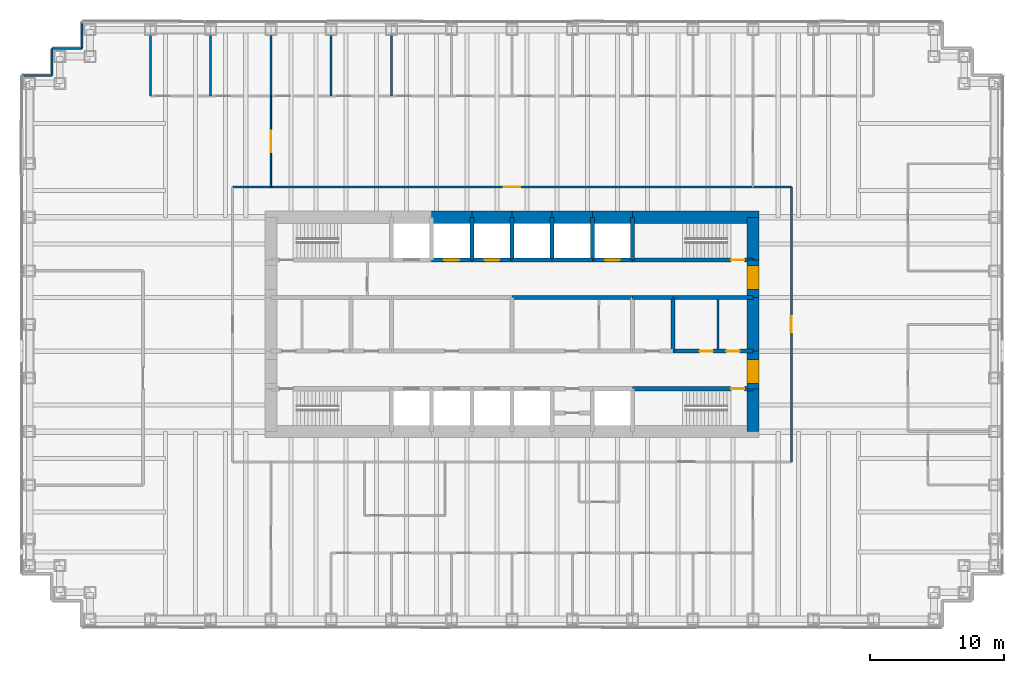
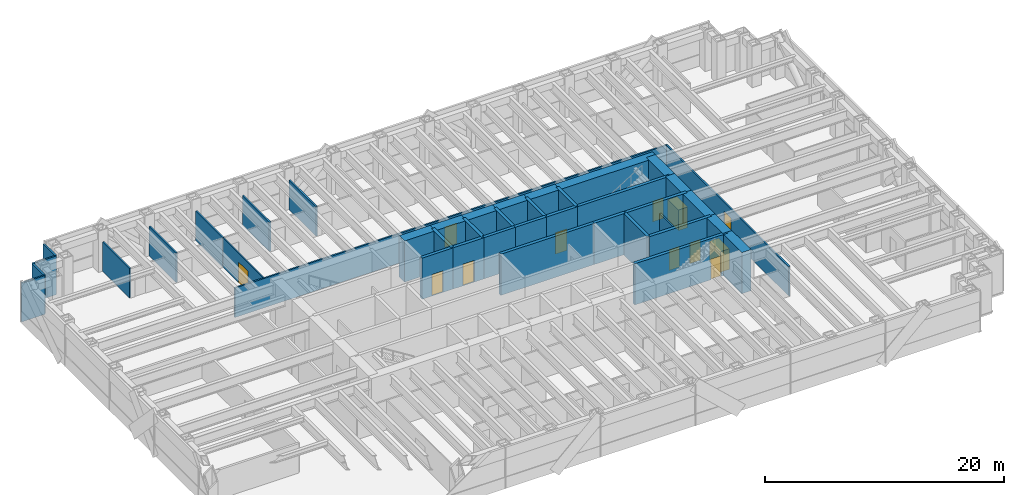
# One storey, part 13 of 16: 41 walls, 12 doors, 12 openings.
"""IFC4 building model written with IfcOpenShell, lengths in metres."""

from ifc_helpers import new_model, si_unit, direction, frame, frame_2d, origin, place, context, subcontext, project, spatial, rectangle, extrude, material, layer, layer_set, type_object, element, fill, save


model = new_model("IFC4")

# Units and contexts
model_context = context("Model", 3, precision=1e-05, world=origin(), true_north=direction((0.0, 1.0)))
body_context = subcontext(model_context, "Body", "Model", "MODEL_VIEW")
ifc_project = project(units=[si_unit("LENGTHUNIT", "METRE"), si_unit("AREAUNIT", "SQUARE_METRE"), si_unit("VOLUMEUNIT", "CUBIC_METRE"), si_unit("PLANEANGLEUNIT", "RADIAN"), si_unit("MASSUNIT", "GRAM", prefix="KILO")], contexts=[model_context])

# Site, building, storey
site_placement = place(None, origin())
site = spatial("IfcSite", under=ifc_project, at=site_placement, CompositionType="ELEMENT")
building_placement = place(site_placement, origin())
building = spatial("IfcBuilding", under=site, at=building_placement, Name="Rheinbord Bourse Tower", CompositionType="ELEMENT")
storey_placement = place(building_placement, frame((0.0, 0.0, 176.10009765625)))
storey = spatial("IfcBuildingStorey", under=building, at=storey_placement, Name="L39", CompositionType="ELEMENT", Elevation=176.10009765625)

# Wall, opening, door
ifc_material_1 = material(Name="Concrete C50/60", Category="concrete")
ifc_layer_1 = layer(ifc_material_1, 0.300048828125)
ifc_layer_set_1 = layer_set([ifc_layer_1], Name="CORE INNER WALL 300")
wall_type_1 = type_object("IfcWallType", Name="CORE INNER WALL 300", PredefinedType="SOLIDWALL", material=ifc_layer_set_1)
wall_1_placement = place(storey_placement, frame((45.0, 19.199951171875, 0.0), z_axis=(0.0, 0.0, 1.0), x_axis=(1.0, 0.0, 0.0)))
wall_1 = element("IfcWall", 1, at=wall_1_placement, inside=storey, type_object=wall_type_1, Name="Core wall A8 L39", PredefinedType="SOLIDWALL", context=body_context, shape_type="SweptSolid", body=[
    extrude(rectangle(XDim=9.0, YDim=0.300048828125, at=frame_2d((4.5, 0.0))), origin(), (0.0, 0.0, 1.0), 4.199951171875),
])
opening_1_placement = place(wall_1_placement, frame((7.35009765625, 0.0, 0.0)))
opening_1 = element("IfcOpeningElement", 2, at=opening_1_placement, cuts=wall_1, Name="Opening 3930", PredefinedType="OPENING", context=body_context, shape_type="SweptSolid", body=[
    extrude(rectangle(XDim=1.0, YDim=2.10009765625, at=frame_2d((0.5, 1.050048828125))), frame((0.0, 0.159912109375, 0.0), z_axis=(0.0, -1.0, 0.0), x_axis=(1.0, 0.0, 0.0)), (0.0, 0.0, 1.0), 0.320068359375),
])
ifc_material_2 = material(Name="Steel door", Category="steel")
door_type_1 = type_object("IfcDoorType", Name="DOOR 1000 EI30", OperationType="SINGLE_SWING_LEFT", PredefinedType="DOOR", material=ifc_material_2)
door_1_placement = place(opening_1_placement, origin())
door_1 = element("IfcDoor", 3, at=door_1_placement, inside=storey, type_object=door_type_1, Name="Stair door ST3 L39", OperationType="SINGLE_SWING_RIGHT", OverallHeight=2.10009765625, OverallWidth=1.0, PredefinedType="DOOR", context=body_context, shape_type="SweptSolid", body=[
    extrude(rectangle(XDim=1.0, YDim=2.10009765625, at=frame_2d((0.5, 1.050048828125))), frame((0.0, 0.02490234375, 0.0), z_axis=(0.0, -1.0, 0.0), x_axis=(1.0, 0.0, 0.0)), (0.0, 0.0, 1.0), 0.050048828125),
])
fill(opening_1, door_1)

wall_2_placement = place(storey_placement, frame((30.0, 28.800048828125, 0.0), z_axis=(0.0, 0.0, 1.0), x_axis=(1.0, 0.0, 0.0)))
wall_2 = element("IfcWall", 4, at=wall_2_placement, inside=storey, type_object=wall_type_1, Name="Core wall B3 L39", PredefinedType="SOLIDWALL", context=body_context, shape_type="SweptSolid", body=[
    extrude(rectangle(XDim=3.0, YDim=0.300048828125, at=frame_2d((1.5, 0.0))), origin(), (0.0, 0.0, 1.0), 4.199951171875),
])
opening_2_placement = place(wall_2_placement, frame((0.949951171875, 0.0, 0.0)))
opening_2 = element("IfcOpeningElement", 5, at=opening_2_placement, cuts=wall_2, Name="Opening PB4", PredefinedType="OPENING", context=body_context, shape_type="SweptSolid", body=[
    extrude(rectangle(XDim=1.10009765625, YDim=2.199951171875, at=frame_2d((0.550048828125, 1.10009765625))), frame((0.0, 0.159912109375, 0.0), z_axis=(0.0, -1.0, 0.0), x_axis=(1.0, 0.0, 0.0)), (0.0, 0.0, 1.0), 0.320068359375),
])
ifc_material_3 = material(Name="Steel landing door", Category="steel")
door_type_2 = type_object("IfcDoorType", Name="LIFT LANDING DOOR 1100", OperationType="DOUBLE_DOOR_SLIDING", PredefinedType="USERDEFINED", material=ifc_material_3)
door_2_placement = place(opening_2_placement, origin())
door_2 = element("IfcDoor", 6, at=door_2_placement, inside=storey, type_object=door_type_2, Name="Lift landing door PB4 L39", ObjectType="LIFT LANDING DOOR", OperationType="DOUBLE_DOOR_SLIDING", OverallHeight=2.199951171875, OverallWidth=1.10009765625, PredefinedType="USERDEFINED", context=body_context, shape_type="SweptSolid", body=[
    extrude(rectangle(XDim=1.10009765625, YDim=2.199951171875, at=frame_2d((0.550048828125, 1.10009765625))), frame((0.0, 0.02490234375, 0.0), z_axis=(0.0, -1.0, 0.0), x_axis=(1.0, 0.0, 0.0)), (0.0, 0.0, 1.0), 0.050048828125),
])
fill(opening_2, door_2)

wall_3_placement = place(storey_placement, frame((33.0, 28.800048828125, 0.0), z_axis=(0.0, 0.0, 1.0), x_axis=(1.0, 0.0, 0.0)))
wall_3 = element("IfcWall", 7, at=wall_3_placement, inside=storey, type_object=wall_type_1, Name="Core wall B4 L39", PredefinedType="SOLIDWALL", context=body_context, shape_type="SweptSolid", body=[
    extrude(rectangle(XDim=3.0, YDim=0.300048828125, at=frame_2d((1.5, 0.0))), origin(), (0.0, 0.0, 1.0), 4.199951171875),
])
opening_3_placement = place(wall_3_placement, frame((0.949951171875, 0.0, 0.0)))
opening_3 = element("IfcOpeningElement", 8, at=opening_3_placement, cuts=wall_3, Name="Opening PB5", PredefinedType="OPENING", context=body_context, shape_type="SweptSolid", body=[
    extrude(rectangle(XDim=1.10009765625, YDim=2.199951171875, at=frame_2d((0.550048828125, 1.10009765625))), frame((0.0, 0.159912109375, 0.0), z_axis=(0.0, -1.0, 0.0), x_axis=(1.0, 0.0, 0.0)), (0.0, 0.0, 1.0), 0.320068359375),
])
door_3_placement = place(opening_3_placement, origin())
door_3 = element("IfcDoor", 9, at=door_3_placement, inside=storey, type_object=door_type_2, Name="Lift landing door PB5 L39", ObjectType="LIFT LANDING DOOR", OperationType="DOUBLE_DOOR_SLIDING", OverallHeight=2.199951171875, OverallWidth=1.10009765625, PredefinedType="USERDEFINED", context=body_context, shape_type="SweptSolid", body=[
    extrude(rectangle(XDim=1.10009765625, YDim=2.199951171875, at=frame_2d((0.550048828125, 1.10009765625))), frame((0.0, 0.02490234375, 0.0), z_axis=(0.0, -1.0, 0.0), x_axis=(1.0, 0.0, 0.0)), (0.0, 0.0, 1.0), 0.050048828125),
])
fill(opening_3, door_3)

# Walls
for number, where, z_axis, x_axis, name in (
    (10, (36.0, 28.800048828125, 0.0), (0.0, 0.0, 1.0), (1.0, 0.0, 0.0), "Core wall B5 L39"),
    (11, (39.0, 28.800048828125, 0.0), (0.0, 0.0, 1.0), (1.0, 0.0, 0.0), "Core wall B6 L39"),
):
    element("IfcWall", number, at=place(storey_placement, frame(where, z_axis=z_axis, x_axis=x_axis)), inside=storey, type_object=wall_type_1, Name=name, PredefinedType="SOLIDWALL", context=body_context, shape_type="SweptSolid", body=[
        extrude(rectangle(XDim=3.0, YDim=0.300048828125, at=frame_2d((1.5, 0.0))), origin(), (0.0, 0.0, 1.0), 4.199951171875),
    ])

# Wall, opening, door
wall_4_placement = place(storey_placement, frame((42.0, 28.800048828125, 0.0), z_axis=(0.0, 0.0, 1.0), x_axis=(1.0, 0.0, 0.0)))
wall_4 = element("IfcWall", 12, at=wall_4_placement, inside=storey, type_object=wall_type_1, Name="Core wall B7 L39", PredefinedType="SOLIDWALL", context=body_context, shape_type="SweptSolid", body=[
    extrude(rectangle(XDim=3.0, YDim=0.300048828125, at=frame_2d((1.5, 0.0))), origin(), (0.0, 0.0, 1.0), 4.199951171875),
])
opening_4_placement = place(wall_4_placement, frame((0.949951171875, 0.0, 0.0)))
opening_4 = element("IfcOpeningElement", 13, at=opening_4_placement, cuts=wall_4, Name="Opening FL2", PredefinedType="OPENING", context=body_context, shape_type="SweptSolid", body=[
    extrude(rectangle(XDim=1.10009765625, YDim=2.199951171875, at=frame_2d((0.550048828125, 1.10009765625))), frame((0.0, 0.159912109375, 0.0), z_axis=(0.0, -1.0, 0.0), x_axis=(1.0, 0.0, 0.0)), (0.0, 0.0, 1.0), 0.320068359375),
])
door_4_placement = place(opening_4_placement, origin())
door_4 = element("IfcDoor", 14, at=door_4_placement, inside=storey, type_object=door_type_2, Name="Lift landing door FL2 L39", ObjectType="LIFT LANDING DOOR", OperationType="DOUBLE_DOOR_SLIDING", OverallHeight=2.199951171875, OverallWidth=1.10009765625, PredefinedType="USERDEFINED", context=body_context, shape_type="SweptSolid", body=[
    extrude(rectangle(XDim=1.10009765625, YDim=2.199951171875, at=frame_2d((0.550048828125, 1.10009765625))), frame((0.0, 0.02490234375, 0.0), z_axis=(0.0, -1.0, 0.0), x_axis=(1.0, 0.0, 0.0)), (0.0, 0.0, 1.0), 0.050048828125),
])
fill(opening_4, door_4)

wall_5_placement = place(storey_placement, frame((45.0, 28.800048828125, 0.0), z_axis=(0.0, 0.0, 1.0), x_axis=(1.0, 0.0, 0.0)))
wall_5 = element("IfcWall", 15, at=wall_5_placement, inside=storey, type_object=wall_type_1, Name="Core wall B8 L39", PredefinedType="SOLIDWALL", context=body_context, shape_type="SweptSolid", body=[
    extrude(rectangle(XDim=9.0, YDim=0.300048828125, at=frame_2d((4.5, 0.0))), origin(), (0.0, 0.0, 1.0), 4.199951171875),
])
opening_5_placement = place(wall_5_placement, frame((7.35009765625, 0.0, 0.0)))
opening_5 = element("IfcOpeningElement", 16, at=opening_5_placement, cuts=wall_5, Name="Opening 3940", PredefinedType="OPENING", context=body_context, shape_type="SweptSolid", body=[
    extrude(rectangle(XDim=1.0, YDim=2.10009765625, at=frame_2d((0.5, 1.050048828125))), frame((0.0, 0.159912109375, 0.0), z_axis=(0.0, -1.0, 0.0), x_axis=(1.0, 0.0, 0.0)), (0.0, 0.0, 1.0), 0.320068359375),
])
door_5_placement = place(opening_5_placement, origin())
door_5 = element("IfcDoor", 17, at=door_5_placement, inside=storey, type_object=door_type_1, Name="Stair door ST4 L39", OperationType="SINGLE_SWING_RIGHT", OverallHeight=2.10009765625, OverallWidth=1.0, PredefinedType="DOOR", context=body_context, shape_type="SweptSolid", body=[
    extrude(rectangle(XDim=1.0, YDim=2.10009765625, at=frame_2d((0.5, 1.050048828125))), frame((0.0, 0.02490234375, 0.0), z_axis=(0.0, -1.0, 0.0), x_axis=(1.0, 0.0, 0.0)), (0.0, 0.0, 1.0), 0.050048828125),
])
fill(opening_5, door_5)

# Wall, openings, doors
wall_6_placement = place(storey_placement, frame((48.0, 22.0, 0.0), z_axis=(0.0, 0.0, 1.0), x_axis=(1.0, 0.0, 0.0)))
wall_6 = element("IfcWall", 18, at=wall_6_placement, inside=storey, type_object=wall_type_1, Name="Core wall C6 L39", PredefinedType="SOLIDWALL", context=body_context, shape_type="SweptSolid", body=[
    extrude(rectangle(XDim=6.0, YDim=0.300048828125, at=frame_2d((3.0, 0.0))), origin(), (0.0, 0.0, 1.0), 4.199951171875),
])
opening_6_placement = place(wall_6_placement, frame((2.0, 0.0, 0.0)))
opening_6 = element("IfcOpeningElement", 19, at=opening_6_placement, cuts=wall_6, Name="Opening 39R6", PredefinedType="OPENING", context=body_context, shape_type="SweptSolid", body=[
    extrude(rectangle(XDim=1.0, YDim=2.10009765625, at=frame_2d((0.5, 1.050048828125))), frame((0.0, 0.159912109375, 0.0), z_axis=(0.0, -1.0, 0.0), x_axis=(1.0, 0.0, 0.0)), (0.0, 0.0, 1.0), 0.320068359375),
])
opening_7_placement = place(wall_6_placement, frame((4.0, 0.0, 0.0)))
opening_7 = element("IfcOpeningElement", 20, at=opening_7_placement, cuts=wall_6, Name="Opening 39R10", PredefinedType="OPENING", context=body_context, shape_type="SweptSolid", body=[
    extrude(rectangle(XDim=1.0, YDim=2.10009765625, at=frame_2d((0.5, 1.050048828125))), frame((0.0, 0.159912109375, 0.0), z_axis=(0.0, -1.0, 0.0), x_axis=(1.0, 0.0, 0.0)), (0.0, 0.0, 1.0), 0.320068359375),
])
door_6_placement = place(opening_7_placement, origin())
door_6 = element("IfcDoor", 21, at=door_6_placement, inside=storey, type_object=door_type_1, Name="Cleaner's store door L39", OperationType="SINGLE_SWING_RIGHT", OverallHeight=2.10009765625, OverallWidth=1.0, PredefinedType="DOOR", context=body_context, shape_type="SweptSolid", body=[
    extrude(rectangle(XDim=1.0, YDim=2.10009765625, at=frame_2d((0.5, 1.050048828125))), frame((0.0, 0.02490234375, 0.0), z_axis=(0.0, -1.0, 0.0), x_axis=(1.0, 0.0, 0.0)), (0.0, 0.0, 1.0), 0.050048828125),
])
fill(opening_7, door_6)
ifc_material_4 = material(Name="Timber door", Category="wood")
door_type_3 = type_object("IfcDoorType", Name="DOOR 1000 WC", OperationType="SINGLE_SWING_LEFT", PredefinedType="DOOR", material=ifc_material_4)
door_7_placement = place(opening_6_placement, origin())
door_7 = element("IfcDoor", 22, at=door_7_placement, inside=storey, type_object=door_type_3, Name="WC women door L39", OperationType="SINGLE_SWING_LEFT", OverallHeight=2.10009765625, OverallWidth=1.0, PredefinedType="DOOR", context=body_context, shape_type="SweptSolid", body=[
    extrude(rectangle(XDim=1.0, YDim=2.10009765625, at=frame_2d((0.5, 1.050048828125))), frame((0.0, 0.02490234375, 0.0), z_axis=(0.0, -1.0, 0.0), x_axis=(1.0, 0.0, 0.0)), (0.0, 0.0, 1.0), 0.050048828125),
])
fill(opening_6, door_7)

# Walls
wall_7_placement = place(storey_placement, frame((36.0, 26.0, 0.0), z_axis=(0.0, 0.0, 1.0), x_axis=(1.0, 0.0, 0.0)))
element("IfcWall", 23, at=wall_7_placement, inside=storey, type_object=wall_type_1, Name="Core wall D4 L39", PredefinedType="SOLIDWALL", context=body_context, shape_type="SweptSolid", body=[
    extrude(rectangle(XDim=9.0, YDim=0.300048828125, at=frame_2d((4.5, 0.0))), origin(), (0.0, 0.0, 1.0), 4.199951171875),
])
wall_8_placement = place(storey_placement, frame((45.0, 26.0, 0.0), z_axis=(0.0, 0.0, 1.0), x_axis=(1.0, 0.0, 0.0)))
element("IfcWall", 24, at=wall_8_placement, inside=storey, type_object=wall_type_1, Name="Core wall D5 L39", PredefinedType="SOLIDWALL", context=body_context, shape_type="SweptSolid", body=[
    extrude(rectangle(XDim=3.0, YDim=0.300048828125, at=frame_2d((1.5, 0.0))), origin(), (0.0, 0.0, 1.0), 4.199951171875),
])
wall_9_placement = place(storey_placement, frame((48.0, 26.0, 0.0), z_axis=(0.0, 0.0, 1.0), x_axis=(1.0, 0.0, 0.0)))
element("IfcWall", 25, at=wall_9_placement, inside=storey, type_object=wall_type_1, Name="Core wall D6 L39", PredefinedType="SOLIDWALL", context=body_context, shape_type="SweptSolid", body=[
    extrude(rectangle(XDim=6.0, YDim=0.300048828125, at=frame_2d((3.0, 0.0))), origin(), (0.0, 0.0, 1.0), 4.199951171875),
])
for number, where, z_axis, x_axis, name in (
    (26, (33.0, 28.800048828125, 0.0), (0.0, 0.0, 1.0), (0.0, 1.0, 0.0), "Core wall NX33 L39"),
    (27, (36.0, 28.800048828125, 0.0), (0.0, 0.0, 1.0), (0.0, 1.0, 0.0), "Core wall NX36 L39"),
    (28, (39.0, 28.800048828125, 0.0), (0.0, 0.0, 1.0), (0.0, 1.0, 0.0), "Core wall NX39 L39"),
    (29, (42.0, 28.800048828125, 0.0), (0.0, 0.0, 1.0), (0.0, 1.0, 0.0), "Core wall NX42 L39"),
    (30, (45.0, 28.800048828125, 0.0), (0.0, 0.0, 1.0), (0.0, 1.0, 0.0), "Core wall NX45 L39"),
):
    element("IfcWall", number, at=place(storey_placement, frame(where, z_axis=z_axis, x_axis=x_axis)), inside=storey, type_object=wall_type_1, Name=name, PredefinedType="SOLIDWALL", context=body_context, shape_type="SweptSolid", body=[
        extrude(rectangle(XDim=3.199951171875, YDim=0.300048828125, at=frame_2d((1.60009765625, 0.0))), origin(), (0.0, 0.0, 1.0), 4.199951171875),
    ])
wall_10_placement = place(storey_placement, frame((48.0, 22.0, 0.0), z_axis=(0.0, 0.0, 1.0), x_axis=(0.0, 1.0, 0.0)))
element("IfcWall", 31, at=wall_10_placement, inside=storey, type_object=wall_type_1, Name="Core wall MX48 L39", PredefinedType="SOLIDWALL", context=body_context, shape_type="SweptSolid", body=[
    extrude(rectangle(XDim=4.0, YDim=0.300048828125, at=frame_2d((2.0, 0.0))), origin(), (0.0, 0.0, 1.0), 4.199951171875),
])
ifc_material_5 = material(Name="Gypsum board fire partition", Category="gypsum board")
ifc_layer_2 = layer(ifc_material_5, 0.14990234375)
ifc_layer_set_2 = layer_set([ifc_layer_2], Name="CORE PARTITION 150 EI30")
wall_type_2 = type_object("IfcWallType", Name="CORE PARTITION 150 EI30", PredefinedType="PARTITIONING", material=ifc_layer_set_2)
wall_11_placement = place(storey_placement, frame((51.375, 22.14990234375, 0.0), z_axis=(0.0, 0.0, 1.0), x_axis=(0.0, 1.0, 0.0)))
element("IfcWall", 32, at=wall_11_placement, inside=storey, type_object=wall_type_2, Name="Core partition L39-3", PredefinedType="PARTITIONING", context=body_context, shape_type="SweptSolid", body=[
    extrude(rectangle(XDim=3.7001953125, YDim=0.14990234375, at=frame_2d((1.85009765625, 0.0))), origin(), (0.0, 0.0, 1.0), 3.0),
])
ifc_material_6 = material(Name="Concrete C50/60", Category="concrete")
ifc_layer_3 = layer(ifc_material_6, 0.89990234375)
ifc_layer_set_3 = layer_set([ifc_layer_3], Name="CORE WALL 900")
wall_type_3 = type_object("IfcWallType", Name="CORE WALL 900", PredefinedType="SHEAR", material=ifc_layer_set_3)
wall_12_placement = place(storey_placement, frame((54.449951171875, 32.0, 0.0), z_axis=(0.0, 0.0, 1.0), x_axis=(-1.0, 0.0, 0.0)))
element("IfcWall", 33, at=wall_12_placement, inside=storey, type_object=wall_type_3, Name="Core wall N1 L39", PredefinedType="SHEAR", context=body_context, shape_type="SweptSolid", body=[
    extrude(rectangle(XDim=9.449951171875, YDim=0.89990234375, at=frame_2d((4.72509765625, 0.0))), origin(), (0.0, 0.0, 1.0), 4.199951171875),
])
for number, where, z_axis, x_axis, name in (
    (34, (45.0, 32.0, 0.0), (0.0, 0.0, 1.0), (-1.0, 0.0, 0.0), "Core wall N2 L39"),
    (35, (42.0, 32.0, 0.0), (0.0, 0.0, 1.0), (-1.0, 0.0, 0.0), "Core wall N3 L39"),
    (36, (39.0, 32.0, 0.0), (0.0, 0.0, 1.0), (-1.0, 0.0, 0.0), "Core wall N4 L39"),
    (37, (36.0, 32.0, 0.0), (0.0, 0.0, 1.0), (-1.0, 0.0, 0.0), "Core wall N5 L39"),
    (38, (33.0, 32.0, 0.0), (0.0, 0.0, 1.0), (-1.0, 0.0, 0.0), "Core wall N6 L39"),
):
    element("IfcWall", number, at=place(storey_placement, frame(where, z_axis=z_axis, x_axis=x_axis)), inside=storey, type_object=wall_type_3, Name=name, PredefinedType="SHEAR", context=body_context, shape_type="SweptSolid", body=[
        extrude(rectangle(XDim=3.0, YDim=0.89990234375, at=frame_2d((1.5, 0.0))), origin(), (0.0, 0.0, 1.0), 4.199951171875),
    ])
wall_13_placement = place(storey_placement, frame((54.0, 16.0, 0.0), z_axis=(0.0, 0.0, 1.0), x_axis=(0.0, 1.0, 0.0)))
element("IfcWall", 39, at=wall_13_placement, inside=storey, type_object=wall_type_3, Name="Core wall E1 L39", PredefinedType="SHEAR", context=body_context, shape_type="SweptSolid", body=[
    extrude(rectangle(XDim=3.199951171875, YDim=0.89990234375, at=frame_2d((1.60009765625, 0.0))), origin(), (0.0, 0.0, 1.0), 4.199951171875),
])

# Wall, opening, door
wall_14_placement = place(storey_placement, frame((54.0, 19.199951171875, 0.0), z_axis=(0.0, 0.0, 1.0), x_axis=(0.0, 1.0, 0.0)))
wall_14 = element("IfcWall", 40, at=wall_14_placement, inside=storey, type_object=wall_type_3, Name="Core wall E2 L39", PredefinedType="SHEAR", context=body_context, shape_type="SweptSolid", body=[
    extrude(rectangle(XDim=2.800048828125, YDim=0.89990234375, at=frame_2d((1.39990234375, 0.0))), origin(), (0.0, 0.0, 1.0), 4.199951171875),
])
opening_8_placement = place(wall_14_placement, frame((0.39990234375, 0.0, 0.0)))
opening_8 = element("IfcOpeningElement", 41, at=opening_8_placement, cuts=wall_14, Name="Opening 39L3", PredefinedType="OPENING", context=body_context, shape_type="SweptSolid", body=[
    extrude(rectangle(XDim=1.800048828125, YDim=2.10009765625, at=frame_2d((0.89990234375, 1.050048828125))), frame((0.0, 0.4599609375, 0.0), z_axis=(0.0, -1.0, 0.0), x_axis=(1.0, 0.0, 0.0)), (0.0, 0.0, 1.0), 0.919921875),
])
ifc_material_7 = material(Name="Steel door", Category="steel")
door_type_4 = type_object("IfcDoorType", Name="DOOR 1800 EI30 DOUBLE", OperationType="DOUBLE_DOOR_DOUBLE_SWING", PredefinedType="DOOR", material=ifc_material_7)
door_8_placement = place(opening_8_placement, origin())
door_8 = element("IfcDoor", 42, at=door_8_placement, inside=storey, type_object=door_type_4, Name="Lobby door 3 L39", OperationType="SINGLE_SWING_LEFT", OverallHeight=2.10009765625, OverallWidth=1.800048828125, PredefinedType="DOOR", context=body_context, shape_type="SweptSolid", body=[
    extrude(rectangle(XDim=1.800048828125, YDim=2.10009765625, at=frame_2d((0.89990234375, 1.050048828125))), frame((0.0, 0.44970703125, 0.0), z_axis=(0.0, -1.0, 0.0), x_axis=(1.0, 0.0, 0.0)), (0.0, 0.0, 1.0), 0.8994140625),
])
fill(opening_8, door_8)

# Wall
wall_15_placement = place(storey_placement, frame((54.0, 22.0, 0.0), z_axis=(0.0, 0.0, 1.0), x_axis=(0.0, 1.0, 0.0)))
element("IfcWall", 43, at=wall_15_placement, inside=storey, type_object=wall_type_3, Name="Core wall E3 L39", PredefinedType="SHEAR", context=body_context, shape_type="SweptSolid", body=[
    extrude(rectangle(XDim=4.0, YDim=0.89990234375, at=frame_2d((2.0, 0.0))), origin(), (0.0, 0.0, 1.0), 4.199951171875),
])

# Wall, opening, door
wall_16_placement = place(storey_placement, frame((54.0, 26.0, 0.0), z_axis=(0.0, 0.0, 1.0), x_axis=(0.0, 1.0, 0.0)))
wall_16 = element("IfcWall", 44, at=wall_16_placement, inside=storey, type_object=wall_type_3, Name="Core wall E4 L39", PredefinedType="SHEAR", context=body_context, shape_type="SweptSolid", body=[
    extrude(rectangle(XDim=2.800048828125, YDim=0.89990234375, at=frame_2d((1.39990234375, 0.0))), origin(), (0.0, 0.0, 1.0), 4.199951171875),
])
opening_9_placement = place(wall_16_placement, frame((0.60009765625, 0.0, 0.0)))
opening_9 = element("IfcOpeningElement", 45, at=opening_9_placement, cuts=wall_16, Name="Opening 39L4", PredefinedType="OPENING", context=body_context, shape_type="SweptSolid", body=[
    extrude(rectangle(XDim=1.800048828125, YDim=2.10009765625, at=frame_2d((0.89990234375, 1.050048828125))), frame((0.0, 0.4599609375, 0.0), z_axis=(0.0, -1.0, 0.0), x_axis=(1.0, 0.0, 0.0)), (0.0, 0.0, 1.0), 0.919921875),
])
door_9_placement = place(opening_9_placement, origin())
door_9 = element("IfcDoor", 46, at=door_9_placement, inside=storey, type_object=door_type_4, Name="Lobby door 4 L39", OperationType="SINGLE_SWING_LEFT", OverallHeight=2.10009765625, OverallWidth=1.800048828125, PredefinedType="DOOR", context=body_context, shape_type="SweptSolid", body=[
    extrude(rectangle(XDim=1.800048828125, YDim=2.10009765625, at=frame_2d((0.89990234375, 1.050048828125))), frame((0.0, 0.44970703125, 0.0), z_axis=(0.0, -1.0, 0.0), x_axis=(1.0, 0.0, 0.0)), (0.0, 0.0, 1.0), 0.8994140625),
])
fill(opening_9, door_9)

# Walls
wall_17_placement = place(storey_placement, frame((54.0, 28.800048828125, 0.0), z_axis=(0.0, 0.0, 1.0), x_axis=(0.0, 1.0, 0.0)))
element("IfcWall", 47, at=wall_17_placement, inside=storey, type_object=wall_type_3, Name="Core wall E5 L39", PredefinedType="SHEAR", context=body_context, shape_type="SweptSolid", body=[
    extrude(rectangle(XDim=3.199951171875, YDim=0.89990234375, at=frame_2d((1.60009765625, 0.0))), origin(), (0.0, 0.0, 1.0), 4.199951171875),
])
ifc_material_8 = material(Name="Black metal rainscreen panel", Category="aluminium")
ifc_layer_4 = layer(ifc_material_8, 0.14990234375)
ifc_layer_set_4 = layer_set([ifc_layer_4], Name="CORNER PIER CLADDING 150")
wall_type_4 = type_object("IfcWallType", Name="CORNER PIER CLADDING 150", PredefinedType="ELEMENTEDWALL", material=ifc_layer_set_4)
wall_18_placement = place(storey_placement, frame((3.89990234375, 46.60009765625, 0.0), z_axis=(0.0, 0.0, 1.0), x_axis=(0.0, -1.0, 0.0)))
element("IfcWall", 48, at=wall_18_placement, inside=storey, type_object=wall_type_4, Name="Corner pier cladding L39 12", PredefinedType="ELEMENTEDWALL", context=body_context, shape_type="SweptSolid", body=[
    extrude(rectangle(XDim=2.0, YDim=0.14990234375, at=frame_2d((1.0, 0.0))), origin(), (0.0, 0.0, 1.0), 3.949951171875),
])
wall_19_placement = place(storey_placement, frame((3.89990234375, 44.60009765625, 0.0), z_axis=(0.0, 0.0, 1.0), x_axis=(-1.0, 0.0, 0.0)))
element("IfcWall", 49, at=wall_19_placement, inside=storey, type_object=wall_type_4, Name="Corner pier cladding L39 13", PredefinedType="ELEMENTEDWALL", context=body_context, shape_type="SweptSolid", body=[
    extrude(rectangle(XDim=2.25, YDim=0.14990234375, at=frame_2d((1.125, 0.0))), origin(), (0.0, 0.0, 1.0), 3.949951171875),
])
wall_20_placement = place(storey_placement, frame((1.64990234375, 44.60009765625, 0.0), z_axis=(0.0, 0.0, 1.0), x_axis=(0.0, -1.0, 0.0)))
element("IfcWall", 50, at=wall_20_placement, inside=storey, type_object=wall_type_4, Name="Corner pier cladding L39 14", PredefinedType="ELEMENTEDWALL", context=body_context, shape_type="SweptSolid", body=[
    extrude(rectangle(XDim=2.0, YDim=0.14990234375, at=frame_2d((1.0, 0.0))), origin(), (0.0, 0.0, 1.0), 3.949951171875),
])
wall_21_placement = place(storey_placement, frame((1.64990234375, 42.60009765625, 0.0), z_axis=(0.0, 0.0, 1.0), x_axis=(-1.0, 0.0, 0.0)))
element("IfcWall", 51, at=wall_21_placement, inside=storey, type_object=wall_type_4, Name="Corner pier cladding L39 15", PredefinedType="ELEMENTEDWALL", context=body_context, shape_type="SweptSolid", body=[
    extrude(rectangle(XDim=2.25, YDim=0.14990234375, at=frame_2d((1.125, 0.0))), origin(), (0.0, 0.0, 1.0), 3.949951171875),
])

# Wall, opening, door
ifc_material_9 = material(Name="Gypsum board corridor partition", Category="gypsum board")
ifc_layer_5 = layer(ifc_material_9, 0.14990234375)
ifc_layer_set_5 = layer_set([ifc_layer_5], Name="CORRIDOR PARTITION 150 EI30")
wall_type_5 = type_object("IfcWallType", Name="CORRIDOR PARTITION 150 EI30", PredefinedType="PARTITIONING", material=ifc_layer_set_5)
wall_22_placement = place(storey_placement, frame((15.14990234375, 34.25, 0.0), z_axis=(0.0, 0.0, 1.0), x_axis=(1.0, 0.0, 0.0)))
wall_22 = element("IfcWall", 52, at=wall_22_placement, inside=storey, type_object=wall_type_5, Name="Partition L39-12", PredefinedType="PARTITIONING", context=body_context, shape_type="SweptSolid", body=[
    extrude(rectangle(XDim=41.7001953125, YDim=0.14990234375, at=frame_2d((20.85009765625, 0.0))), origin(), (0.0, 0.0, 1.0), 3.0),
])
opening_10_placement = place(wall_22_placement, frame((20.25, 0.0, 0.0)))
opening_10 = element("IfcOpeningElement", 53, at=opening_10_placement, cuts=wall_22, Name="Opening 39D33", PredefinedType="OPENING", context=body_context, shape_type="SweptSolid", body=[
    extrude(rectangle(XDim=1.199951171875, YDim=2.10009765625, at=frame_2d((0.60009765625, 1.050048828125))), frame((0.0, 0.0849609375, 0.0), z_axis=(0.0, -1.0, 0.0), x_axis=(1.0, 0.0, 0.0)), (0.0, 0.0, 1.0), 0.169921875),
])
ifc_material_10 = material(Name="Timber fire door", Category="wood")
door_type_5 = type_object("IfcDoorType", Name="SUITE ENTRANCE DOOR 1200 EI30", OperationType="SINGLE_SWING_LEFT", PredefinedType="DOOR", material=ifc_material_10)
door_10_placement = place(opening_10_placement, origin())
door_10 = element("IfcDoor", 54, at=door_10_placement, inside=storey, type_object=door_type_5, Name="Suite entrance 4 door L39", OperationType="SINGLE_SWING_LEFT", OverallHeight=2.10009765625, OverallWidth=1.199951171875, PredefinedType="DOOR", context=body_context, shape_type="SweptSolid", body=[
    extrude(rectangle(XDim=1.199951171875, YDim=2.10009765625, at=frame_2d((0.60009765625, 1.050048828125))), frame((0.0, 0.02490234375, 0.0), z_axis=(0.0, -1.0, 0.0), x_axis=(1.0, 0.0, 0.0)), (0.0, 0.0, 1.0), 0.050048828125),
])
fill(opening_10, door_10)

wall_23_placement = place(storey_placement, frame((56.85009765625, 13.75, 0.0), z_axis=(0.0, 0.0, 1.0), x_axis=(0.0, 1.0, 0.0)))
wall_23 = element("IfcWall", 55, at=wall_23_placement, inside=storey, type_object=wall_type_5, Name="Partition L39-44", PredefinedType="PARTITIONING", context=body_context, shape_type="SweptSolid", body=[
    extrude(rectangle(XDim=20.5, YDim=0.14990234375, at=frame_2d((10.25, 0.0))), origin(), (0.0, 0.0, 1.0), 3.0),
])
opening_11_placement = place(wall_23_placement, frame((9.64990234375, 0.0, 0.0)))
opening_11 = element("IfcOpeningElement", 56, at=opening_11_placement, cuts=wall_23, Name="Opening 39D31", PredefinedType="OPENING", context=body_context, shape_type="SweptSolid", body=[
    extrude(rectangle(XDim=1.199951171875, YDim=2.10009765625, at=frame_2d((0.60009765625, 1.050048828125))), frame((0.0, 0.0849609375, 0.0), z_axis=(0.0, -1.0, 0.0), x_axis=(1.0, 0.0, 0.0)), (0.0, 0.0, 1.0), 0.169921875),
])
door_11_placement = place(opening_11_placement, origin())
door_11 = element("IfcDoor", 57, at=door_11_placement, inside=storey, type_object=door_type_5, Name="Suite entrance 2 door L39", OperationType="SINGLE_SWING_LEFT", OverallHeight=2.10009765625, OverallWidth=1.199951171875, PredefinedType="DOOR", context=body_context, shape_type="SweptSolid", body=[
    extrude(rectangle(XDim=1.199951171875, YDim=2.10009765625, at=frame_2d((0.60009765625, 1.050048828125))), frame((0.0, 0.02490234375, 0.0), z_axis=(0.0, -1.0, 0.0), x_axis=(1.0, 0.0, 0.0)), (0.0, 0.0, 1.0), 0.050048828125),
])
fill(opening_11, door_11)

ifc_material_11 = material(Name="Toughened laminated glass partition", Category="glass")
ifc_layer_6 = layer(ifc_material_11, 0.10009765625)
ifc_layer_set_6 = layer_set([ifc_layer_6], Name="GLAZED PARTITION 100")
wall_type_6 = type_object("IfcWallType", Name="GLAZED PARTITION 100", PredefinedType="PARTITIONING", material=ifc_layer_set_6)
wall_24_placement = place(storey_placement, frame((18.0, 34.25, 0.0), z_axis=(0.0, 0.0, 1.0), x_axis=(0.0, 1.0, 0.0)))
wall_24 = element("IfcWall", 58, at=wall_24_placement, inside=storey, type_object=wall_type_6, Name="Partition L39-20", PredefinedType="PARTITIONING", context=body_context, shape_type="SweptSolid", body=[
    extrude(rectangle(XDim=6.800048828125, YDim=0.10009765625, at=frame_2d((3.39990234375, 0.0))), origin(), (0.0, 0.0, 1.0), 3.0),
])
opening_12_placement = place(wall_24_placement, frame((2.60009765625, 0.0, 0.0)))
opening_12 = element("IfcOpeningElement", 59, at=opening_12_placement, cuts=wall_24, Name="Opening 39D27", PredefinedType="OPENING", context=body_context, shape_type="SweptSolid", body=[
    extrude(rectangle(XDim=1.60009765625, YDim=2.10009765625, at=frame_2d((0.800048828125, 1.050048828125))), frame((0.0, 0.06005859375, 0.0), z_axis=(0.0, -1.0, 0.0), x_axis=(1.0, 0.0, 0.0)), (0.0, 0.0, 1.0), 0.1201171875),
])
ifc_material_12 = material(Name="Timber door", Category="wood")
door_type_6 = type_object("IfcDoorType", Name="DOUBLE ROOM DOOR 1600", OperationType="DOUBLE_DOOR_DOUBLE_SWING", PredefinedType="DOOR", material=ifc_material_12)
door_12_placement = place(opening_12_placement, origin())
door_12 = element("IfcDoor", 60, at=door_12_placement, inside=storey, type_object=door_type_6, Name="Open area door L39", OperationType="SINGLE_SWING_LEFT", OverallHeight=2.10009765625, OverallWidth=1.60009765625, PredefinedType="DOOR", context=body_context, shape_type="SweptSolid", body=[
    extrude(rectangle(XDim=1.60009765625, YDim=2.10009765625, at=frame_2d((0.800048828125, 1.050048828125))), frame((0.0, 0.02490234375, 0.0), z_axis=(0.0, -1.0, 0.0), x_axis=(1.0, 0.0, 0.0)), (0.0, 0.0, 1.0), 0.050048828125),
])
fill(opening_12, door_12)

# Walls
ifc_material_13 = material(Name="Gypsum board partition", Category="gypsum board")
ifc_layer_7 = layer(ifc_material_13, 0.14990234375)
ifc_layer_set_7 = layer_set([ifc_layer_7], Name="PARTITION 150")
wall_type_7 = type_object("IfcWallType", Name="PARTITION 150", PredefinedType="PARTITIONING", material=ifc_layer_set_7)
for number, where, z_axis, x_axis, name in (
    (61, (9.0, 41.050048828125, 0.0), (0.0, 0.0, 1.0), (0.0, 1.0, 0.0), "Partition L39-16"),
    (62, (13.5, 41.050048828125, 0.0), (0.0, 0.0, 1.0), (0.0, 1.0, 0.0), "Partition L39-17"),
    (63, (18.0, 41.050048828125, 0.0), (0.0, 0.0, 1.0), (0.0, 1.0, 0.0), "Partition L39-21"),
    (64, (22.5, 41.050048828125, 0.0), (0.0, 0.0, 1.0), (0.0, 1.0, 0.0), "Partition L39-23"),
    (65, (27.0, 41.050048828125, 0.0), (0.0, 0.0, 1.0), (0.0, 1.0, 0.0), "Partition L39-26"),
):
    element("IfcWall", number, at=place(storey_placement, frame(where, z_axis=z_axis, x_axis=x_axis)), inside=storey, type_object=wall_type_7, Name=name, PredefinedType="PARTITIONING", context=body_context, shape_type="SweptSolid", body=[
        extrude(rectangle(XDim=4.5, YDim=0.14990234375, at=frame_2d((2.25, 0.0))), origin(), (0.0, 0.0, 1.0), 3.0),
    ])

save(model, "model.ifc")
